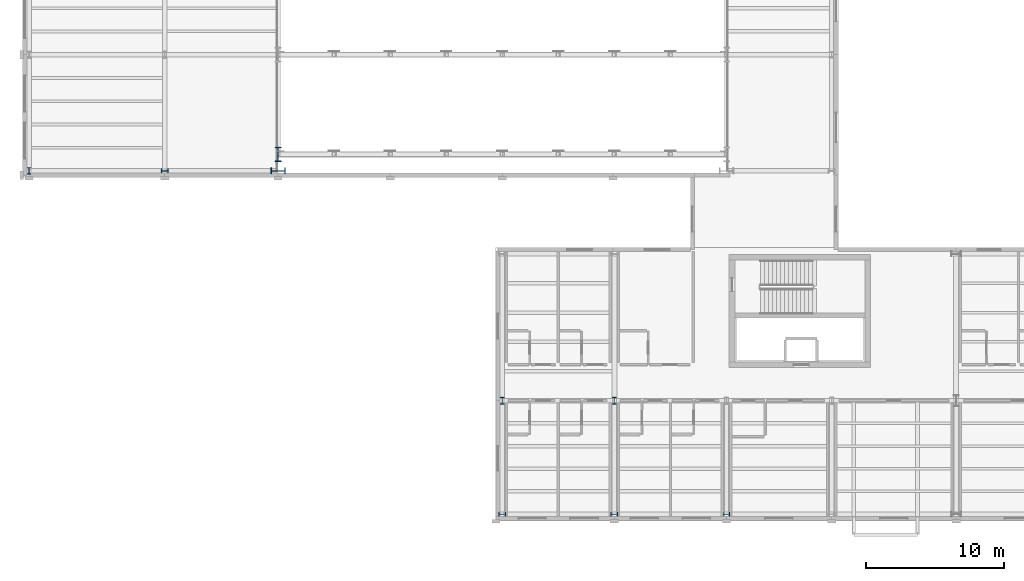
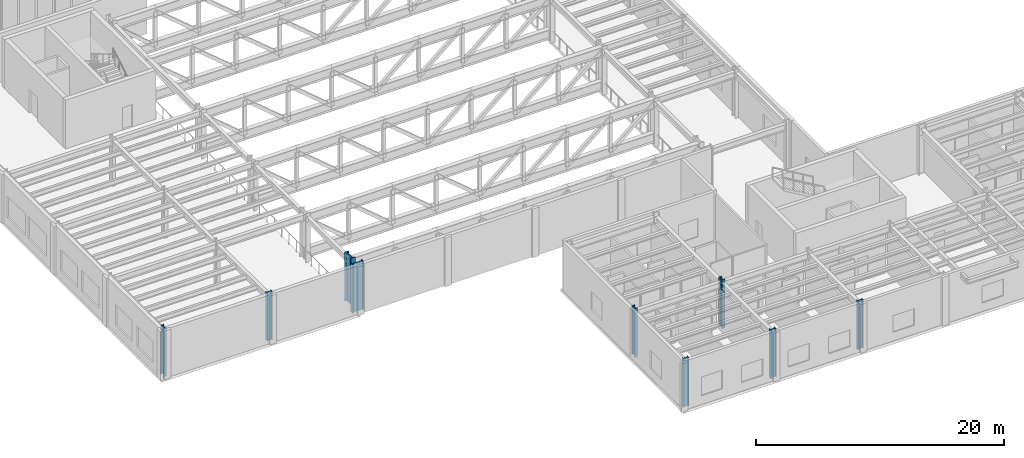
# One storey, part 1 of 91: 9 columns.
"""IFC4 building model written with IfcOpenShell, lengths in metres."""

from ifc_helpers import new_model, si_unit, direction, frame, origin, origin_2d, place, context, subcontext, project, spatial, i_section, extrude, material, material_profile, profile_set, type_object, element, save


model = new_model("IFC4")

# Units and contexts
model_context = context("Model", 3, precision=1e-05, world=origin(), true_north=direction((0.0, 1.0)))
body_context = subcontext(model_context, "Body", "Model", "MODEL_VIEW")
ifc_project = project(units=[si_unit("LENGTHUNIT", "METRE"), si_unit("AREAUNIT", "SQUARE_METRE"), si_unit("VOLUMEUNIT", "CUBIC_METRE"), si_unit("PLANEANGLEUNIT", "RADIAN"), si_unit("MASSUNIT", "GRAM", prefix="KILO")], contexts=[model_context])

# Site, building, storey
site_placement = place(None, origin())
site = spatial("IfcSite", under=ifc_project, at=site_placement, CompositionType="ELEMENT")
building_placement = place(site_placement, origin())
building = spatial("IfcBuilding", under=site, at=building_placement, Name="Sollismere Congress Hotel", CompositionType="ELEMENT")
storey_placement = place(building_placement, frame((0.0, 0.0, 10.800048828125)))
storey = spatial("IfcBuildingStorey", under=building, at=storey_placement, Name="L02", CompositionType="ELEMENT", Elevation=10.800048828125)

# Columns
ifc_material = material(Name="Steel ASTM A992 Grade 50", Category="steel")
ifc_material_profile_1 = material_profile(ifc_material, i_section(OverallWidth=0.283935546875, OverallDepth=0.4951171875, WebThickness=0.0185546875, FlangeThickness=0.033447265625, at=origin_2d()), Name="W18X143")
ifc_profile_set_1 = profile_set([ifc_material_profile_1], Name="Steel ASTM A992 Grade 50")
column_type_1 = type_object("IfcColumnType", Name="COL-W18", PredefinedType="COLUMN", material=ifc_profile_set_1)
for number, where, z_axis, x_axis, name in (
    (1, (0.0, 24.800048828125, 0.0), (0.0, 0.0, 1.0), (1.0, 0.0, 0.0), "Column CL-L02-007"),
    (2, (9.800048828125, 24.800048828125, 0.0), (0.0, 0.0, 1.0), (0.0, 1.0, 0.0), "Column CL-L02-045"),
    (3, (34.199951171875, 0.0, 0.0), (0.0, 0.0, 1.0), (0.0, 1.0, 0.0), "Column CL-L02-118"),
    (4, (34.199951171875, 8.199951171875, 0.0), (0.0, 0.0, 1.0), (1.0, 0.0, 0.0), "Column CL-L02-126"),
    (5, (42.300048828125, 0.0, 0.0), (0.0, 0.0, 1.0), (0.0, 1.0, 0.0), "Column CL-L02-153"),
    (6, (42.300048828125, 8.199951171875, 0.0), (0.0, 0.0, 1.0), (1.0, 0.0, 0.0), "Column CL-L02-161"),
    (7, (50.39990234375, 0.0, 0.0), (0.0, 0.0, 1.0), (0.0, 1.0, 0.0), "Column CL-L02-188"),
):
    element("IfcColumn", number, at=place(storey_placement, frame(where, z_axis=z_axis, x_axis=x_axis)), inside=storey, type_object=column_type_1, Name=name, PredefinedType="COLUMN", context=body_context, shape_type="SweptSolid", body=[
        extrude(i_section(OverallWidth=0.283935546875, OverallDepth=0.4951171875, WebThickness=0.0185546875, FlangeThickness=0.033447265625, at=origin_2d()), origin(), (0.0, 0.0, 1.0), 4.800048828125),
    ])
ifc_material_profile_2 = material_profile(ifc_material, i_section(OverallWidth=0.427001953125, OverallDepth=1.041015625, WebThickness=0.031005859375, FlangeThickness=0.055908203125, at=origin_2d()), Name="W40X397")
ifc_profile_set_2 = profile_set([ifc_material_profile_2], Name="Steel ASTM A992 Grade 50")
column_type_2 = type_object("IfcColumnType", Name="COL-W40", PredefinedType="COLUMN", material=ifc_profile_set_2)
for number, where, z_axis, x_axis, name in (
    (8, (18.0, 24.800048828125, 0.0), (0.0, 0.0, 1.0), (0.0, 1.0, 0.0), "Column CL-L02-076"),
    (9, (18.0, 26.0, 0.0), (0.0, 0.0, 1.0), (1.0, 0.0, 0.0), "Column CL-L02-1132"),
):
    element("IfcColumn", number, at=place(storey_placement, frame(where, z_axis=z_axis, x_axis=x_axis)), inside=storey, type_object=column_type_2, Name=name, PredefinedType="COLUMN", context=body_context, shape_type="SweptSolid", body=[
        extrude(i_section(OverallWidth=0.427001953125, OverallDepth=1.041015625, WebThickness=0.031005859375, FlangeThickness=0.055908203125, at=origin_2d()), origin(), (0.0, 0.0, 1.0), 4.800048828125),
    ])

save(model, "model.ifc")
